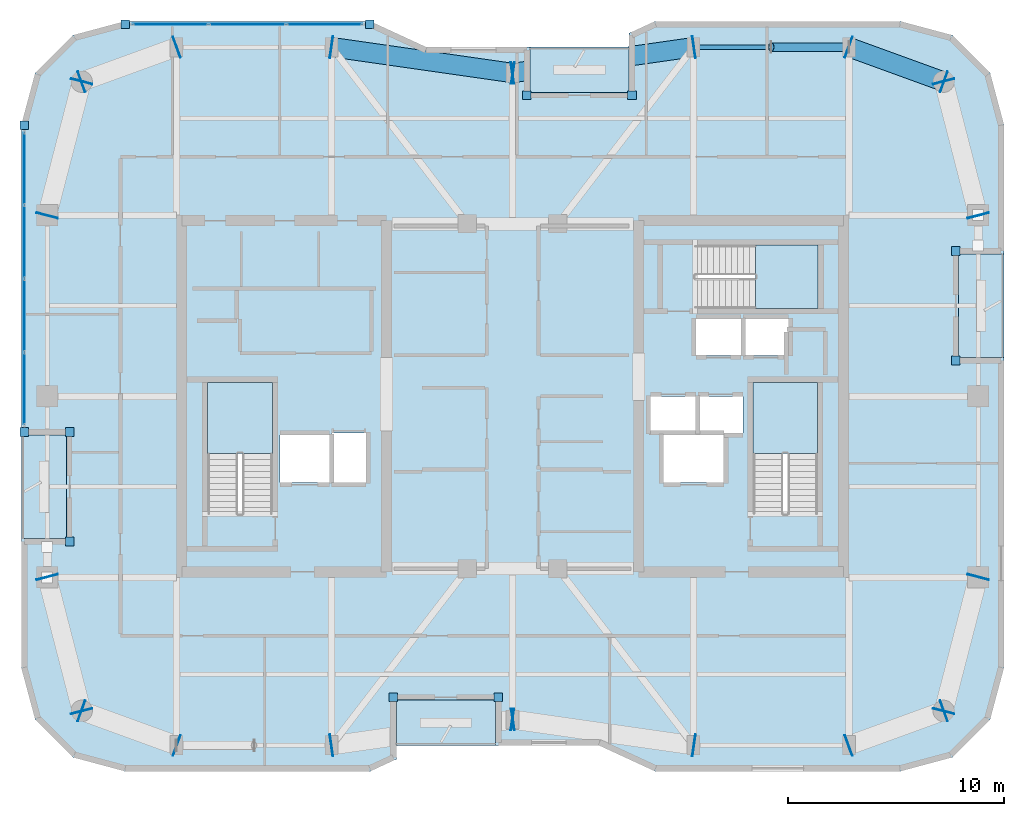
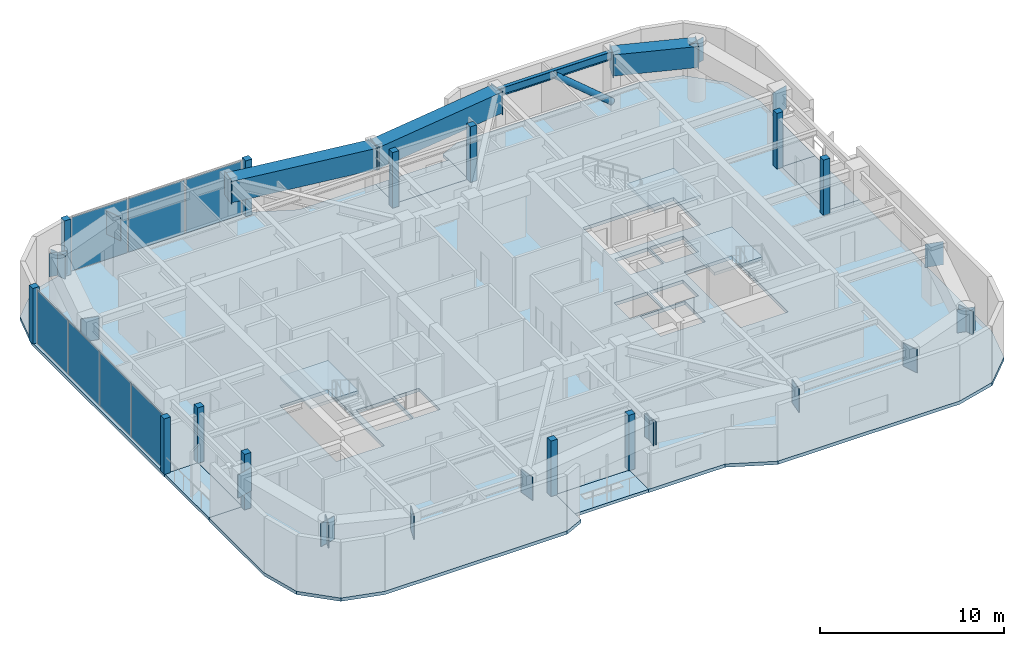
# One storey, part 7 of 15: 43 plates, 8 slabs, 4 beams, 1 member, 5 elements without a shape of their own.
"""IFC4 building model written with IfcOpenShell, lengths in metres."""

from ifc_helpers import new_model, si_unit, direction, frame, origin, origin_2d, place, context, subcontext, project, spatial, polyline, rectangle, hollow_rectangle, hollow_circle, i_section, outline, extrude, material, layer, layer_set, material_profile, profile_set, type_object, element, aggregate, save


model = new_model("IFC4")

# Units and contexts
model_context = context("Model", 3, precision=1e-05, world=origin(), true_north=direction((0.0, 1.0)))
body_context = subcontext(model_context, "Body", "Model", "MODEL_VIEW")
ifc_project = project(units=[si_unit("LENGTHUNIT", "METRE"), si_unit("AREAUNIT", "SQUARE_METRE"), si_unit("VOLUMEUNIT", "CUBIC_METRE"), si_unit("PLANEANGLEUNIT", "RADIAN"), si_unit("MASSUNIT", "GRAM", prefix="KILO")], contexts=[model_context])

# Site, building, storey
site_placement = place(None, origin())
site = spatial("IfcSite", under=ifc_project, at=site_placement, CompositionType="ELEMENT")
building_placement = place(site_placement, origin())
building = spatial("IfcBuilding", under=site, at=building_placement, Name="Kiyonajd Concourse Tower", CompositionType="ELEMENT")
storey_placement = place(building_placement, frame((0.0, 0.0, 266.699951171875)))
storey = spatial("IfcBuildingStorey", under=building, at=storey_placement, Name="L67", CompositionType="ELEMENT", Elevation=266.699951171875)

# Beams
ifc_material_1 = material(Name="Steel ASTM A992 Grade 50", Category="steel")
ifc_material_profile_1 = material_profile(ifc_material_1, i_section(OverallWidth=0.2109375, OverallDepth=0.5390625, WebThickness=0.01171875, FlangeThickness=0.018798828125, at=origin_2d()), Name="W530X109")
ifc_profile_set_1 = profile_set([ifc_material_profile_1], Name="Steel ASTM A992 Grade 50")
beam_type_1 = type_object("IfcBeamType", Name="BM-SPAN-530B", PredefinedType="SPANDREL", material=ifc_profile_set_1)
beam_1_placement = place(storey_placement, frame((63.60009765625, 52.199951171875, 3.41064453125), z_axis=(-1.0, 0.0, 0.0), x_axis=(0.0, -1.0, 0.0)))
element("IfcBeam", 1, at=beam_1_placement, inside=storey, type_object=beam_type_1, Name="L67 Perimeter Bundled Tube Spandrel", PredefinedType="SPANDREL", context=body_context, shape_type="SweptSolid", body=[
    extrude(i_section(OverallWidth=0.2109375, OverallDepth=0.5390625, WebThickness=0.01171875, FlangeThickness=0.018798828125, at=origin_2d()), origin(), (0.0, 0.0, 1.0), 7.2001953125),
])
ifc_material_2 = material(Name="Steel ASTM A572 Grade 50", Category="steel")
ifc_material_profile_2 = material_profile(ifc_material_2, hollow_rectangle(XDim=0.89990234375, YDim=1.39990234375, WallThickness=0.070068359375, at=origin_2d()), Name="BOX-1400x900x70")
ifc_profile_set_2 = profile_set([ifc_material_profile_2], Name="Steel ASTM A572 Grade 50")
beam_type_2 = type_object("IfcBeamType", Name="BM-XFER-1400", PredefinedType="BEAM", material=ifc_profile_set_2)
beam_2_placement = place(storey_placement, frame((68.0, 50.60009765625, 2.97998046875), z_axis=(-0.939801036019, 0.341722127901, 0.0), x_axis=(-0.341722127901, -0.939801036019, 0.0)))
element("IfcBeam", 2, at=beam_2_placement, inside=storey, type_object=beam_type_2, Name="L67 Perimeter Bundled Tube Spandrel", PredefinedType="BEAM", context=body_context, shape_type="SweptSolid", body=[
    extrude(hollow_rectangle(XDim=0.89990234375, YDim=1.39990234375, WallThickness=0.070068359375, at=origin_2d()), origin(), (0.0, 0.0, 1.0), 4.681640625),
])
for number, where, z_axis, x_axis, name in (
    (3, (56.39990234375, 52.199951171875, 2.97998046875), (-0.989950069105, -0.141417328072, 0.0), (0.141417328072, -0.989950069105, 0.0), "L67 Perimeter Bundled Tube Spandrel"),
    (4, (48.0, 51.0, 2.97998046875), (-0.989950069105, 0.141417328072, 0.0), (-0.141417328072, -0.989950069105, 0.0), "L67 Perimeter Bundled Tube Spandrel"),
):
    element("IfcBeam", number, at=place(storey_placement, frame(where, z_axis=z_axis, x_axis=x_axis)), inside=storey, type_object=beam_type_2, Name=name, PredefinedType="BEAM", context=body_context, shape_type="SweptSolid", body=[
        extrude(hollow_rectangle(XDim=0.89990234375, YDim=1.39990234375, WallThickness=0.070068359375, at=origin_2d()), origin(), (0.0, 0.0, 1.0), 8.485107421875),
    ])

# Member
ifc_material_3 = material(Name="Steel ASTM A500 Grade C", Category="steel")
ifc_material_profile_3 = material_profile(ifc_material_3, hollow_circle(Radius=0.202880859375, WallThickness=0.01904296875, at=origin_2d()), Name="CHS-406x19")
ifc_profile_set_3 = profile_set([ifc_material_profile_3], Name="Steel ASTM A500 Grade C")
member_type = type_object("IfcMemberType", Name="MB-PB-HIGH", PredefinedType="BRACE", material=ifc_profile_set_3)
member_placement = place(storey_placement, frame((63.60009765625, 52.199951171875, 0.300048828125), z_axis=(-0.765082043761, 0.0, 0.643932811957), x_axis=(0.0, -1.0, 0.0)))
element("IfcMember", 5, at=member_placement, inside=storey, type_object=member_type, Name="L67 Upper Zone Hollow Tube Brace PBN", PredefinedType="BRACE", context=body_context, shape_type="SweptSolid", body=[
    extrude(hollow_circle(Radius=0.202880859375, WallThickness=0.01904296875, at=origin_2d()), origin(), (0.0, 0.0, 1.0), 4.70556640625),
])

# Plates
ifc_layer_1 = layer(ifc_material_2, 0.031982421875)
ifc_layer_set_1 = layer_set([ifc_layer_1], Name="Steel ASTM A572 Grade 50")
plate_type_1 = type_object("IfcPlateType", Name="PL-CAP-540", PredefinedType="USERDEFINED", material=ifc_layer_set_1)
for number, where, z_axis, x_axis, name in (
    (6, (26.397216796875, 27.610595703125, 2.2099609375), (0.0, 0.0, 1.0), (-0.249873048837, 0.968278606324, 0.0), "L67 Welded Box Girder End Cap"),
    (7, (28.002685546875, 21.389404296875, 2.2099609375), (0.0, 0.0, 1.0), (0.249873048837, -0.968278606324, 0.0), "L67 Welded Box Girder End Cap"),
    (8, (27.98974609375, 21.40380859375, 2.2099609375), (0.0, 0.0, 1.0), (-0.939811951086, 0.341692107891, 0.0), "L67 Welded Box Girder End Cap"),
    (9, (32.410400390625, 19.796142578125, 2.2099609375), (0.0, 0.0, 1.0), (0.939811951086, -0.341692107891, 0.0), "L67 Welded Box Girder End Cap"),
    (10, (39.589111328125, 19.79833984375, 2.2099609375), (0.0, 0.0, 1.0), (-0.989949746297, -0.141419587774, 0.0), "L67 Welded Box Girder End Cap"),
    (11, (48.010986328125, 21.001708984375, 2.2099609375), (0.0, 0.0, 1.0), (0.989949746297, 0.141419587774, 0.0), "L67 Welded Box Girder End Cap"),
    (12, (47.989013671875, 21.001708984375, 2.2099609375), (0.0, 0.0, 1.0), (-0.989949746297, 0.141419587774, 0.0), "L67 Welded Box Girder End Cap"),
    (13, (56.410888671875, 19.79833984375, 2.2099609375), (0.0, 0.0, 1.0), (0.989949746297, -0.141419587774, 0.0), "L67 Welded Box Girder End Cap"),
    (14, (63.589599609375, 19.796142578125, 2.2099609375), (0.0, 0.0, 1.0), (-0.939811951086, -0.341692107891, 0.0), "L67 Welded Box Girder End Cap"),
    (15, (68.01025390625, 21.40380859375, 2.2099609375), (0.0, 0.0, 1.0), (0.939811951086, 0.341692107891, 0.0), "L67 Welded Box Girder End Cap"),
    (16, (67.997314453125, 21.389404296875, 2.2099609375), (0.0, 0.0, 1.0), (-0.249873048837, -0.968278606324, 0.0), "L67 Welded Box Girder End Cap"),
    (17, (69.602783203125, 27.610595703125, 2.2099609375), (0.0, 0.0, 1.0), (0.249873048837, 0.968278606324, 0.0), "L67 Welded Box Girder End Cap"),
    (18, (69.602783203125, 44.389404296875, 2.2099609375), (0.0, 0.0, 1.0), (0.249873048837, -0.968278606324, 0.0), "L67 Welded Box Girder End Cap"),
    (19, (67.997314453125, 50.610595703125, 2.2099609375), (0.0, 0.0, 1.0), (-0.249873048837, 0.968278606324, 0.0), "L67 Welded Box Girder End Cap"),
    (20, (68.01025390625, 50.59619140625, 2.2099609375), (0.0, 0.0, 1.0), (0.939811951086, -0.341692107891, 0.0), "L67 Welded Box Girder End Cap"),
    (21, (63.589599609375, 52.203857421875, 2.2099609375), (0.0, 0.0, 1.0), (-0.939811951086, 0.341692107891, 0.0), "L67 Welded Box Girder End Cap"),
    (22, (56.410888671875, 52.20166015625, 2.2099609375), (0.0, 0.0, 1.0), (0.989949746297, 0.141419587774, 0.0), "L67 Welded Box Girder End Cap"),
    (23, (47.989013671875, 50.998291015625, 2.2099609375), (0.0, 0.0, 1.0), (-0.989949746297, -0.141419587774, 0.0), "L67 Welded Box Girder End Cap"),
    (24, (48.010986328125, 50.998291015625, 2.2099609375), (0.0, 0.0, 1.0), (0.989949746297, -0.141419587774, 0.0), "L67 Welded Box Girder End Cap"),
    (25, (39.589111328125, 52.20166015625, 2.2099609375), (0.0, 0.0, 1.0), (-0.989949746297, 0.141419587774, 0.0), "L67 Welded Box Girder End Cap"),
    (26, (32.410400390625, 52.203857421875, 2.2099609375), (0.0, 0.0, 1.0), (0.939811951086, 0.341692107891, 0.0), "L67 Welded Box Girder End Cap"),
    (27, (27.98974609375, 50.59619140625, 2.2099609375), (0.0, 0.0, 1.0), (-0.939811951086, -0.341692107891, 0.0), "L67 Welded Box Girder End Cap"),
    (28, (28.002685546875, 50.610595703125, 2.2099609375), (0.0, 0.0, 1.0), (0.249873048837, 0.968278606324, 0.0), "L67 Welded Box Girder End Cap"),
    (29, (26.397216796875, 44.389404296875, 2.2099609375), (0.0, 0.0, 1.0), (-0.249873048837, -0.968278606324, 0.0), "L67 Welded Box Girder End Cap"),
):
    element("IfcPlate", number, at=place(storey_placement, frame(where, z_axis=z_axis, x_axis=x_axis)), inside=storey, type_object=plate_type_1, Name=name, ObjectType="CAP PLATE", PredefinedType="USERDEFINED", context=body_context, shape_type="SweptSolid", body=[
        extrude(rectangle(XDim=0.035888671875, YDim=1.02001953125, at=origin_2d()), origin(), (0.0, 0.0, 1.0), 1.5400390625),
    ])

# Curtain wall, plates
ifc_material_4 = material(Name="Thermally Broken Anodised Aluminium", Category="aluminium")
ifc_layer_2 = layer(ifc_material_4, 0.179931640625)
ifc_layer_set_2 = layer_set([ifc_layer_2], Name="Thermally Broken Anodised Aluminium")
curtain_wall_type = type_object("IfcCurtainWallType", Name="CW-SYS-04", PredefinedType="NOTDEFINED", material=ifc_layer_set_2)
curtain_wall_1_placement = place(storey_placement, origin())
curtain_wall_1 = element("IfcCurtainWall", 30, at=curtain_wall_1_placement, inside=storey, type_object=curtain_wall_type, Name="L67 Unitised Curtain Wall CW4", PredefinedType="NOTDEFINED")
ifc_material_5 = material(Name="Double Low-E Insulated Glass", Category="glass")
ifc_layer_3 = layer(ifc_material_5, 0.033935546875)
ifc_layer_set_3 = layer_set([ifc_layer_3], Name="Double Low-E Insulated Glass")
plate_type_2 = type_object("IfcPlateType", Name="PL-CW-VIS34", PredefinedType="CURTAIN_PANEL", material=ifc_layer_set_3)
plate_1_placement = place(storey_placement, frame((25.340087890625, 36.35400390625, 0.06494140625), z_axis=(0.0, 0.0, 1.0), x_axis=(0.0, 1.0, 0.0)))
plate_1 = element("IfcPlate", 31, at=plate_1_placement, type_object=plate_type_2, Name="CW4 panel 1.1", PredefinedType="CURTAIN_PANEL", context=body_context, shape_type="SweptSolid", body=[
    extrude(rectangle(XDim=3.31787109375, YDim=0.033935546875, at=origin_2d()), origin(), (0.0, 0.0, 1.0), 3.550048828125),
])
plate_2_placement = place(storey_placement, frame((25.340087890625, 39.753173828125, 0.06494140625), z_axis=(0.0, 0.0, 1.0), x_axis=(0.0, 1.0, 0.0)))
plate_2 = element("IfcPlate", 32, at=plate_2_placement, type_object=plate_type_2, Name="CW4 panel 2.1", PredefinedType="CURTAIN_PANEL", context=body_context, shape_type="SweptSolid", body=[
    extrude(rectangle(XDim=3.350341796875, YDim=0.033935546875, at=origin_2d()), origin(), (0.0, 0.0, 1.0), 3.550048828125),
])
plate_3_placement = place(storey_placement, frame((25.340087890625, 43.16845703125, 0.06494140625), z_axis=(0.0, 0.0, 1.0), x_axis=(0.0, 1.0, 0.0)))
plate_3 = element("IfcPlate", 33, at=plate_3_placement, type_object=plate_type_2, Name="CW4 panel 3.1", PredefinedType="CURTAIN_PANEL", context=body_context, shape_type="SweptSolid", body=[
    extrude(rectangle(XDim=3.350341796875, YDim=0.033935546875, at=origin_2d()), origin(), (0.0, 0.0, 1.0), 3.550048828125),
])
plate_4_placement = place(storey_placement, frame((25.340087890625, 46.567626953125, 0.06494140625), z_axis=(0.0, 0.0, 1.0), x_axis=(0.0, 1.0, 0.0)))
plate_4 = element("IfcPlate", 34, at=plate_4_placement, type_object=plate_type_2, Name="CW4 panel 4.1", PredefinedType="CURTAIN_PANEL", context=body_context, shape_type="SweptSolid", body=[
    extrude(rectangle(XDim=3.31787109375, YDim=0.033935546875, at=origin_2d()), origin(), (0.0, 0.0, 1.0), 3.550048828125),
])
aggregate(curtain_wall_1, [plate_1, plate_2, plate_3, plate_4])

curtain_wall_2_placement = place(storey_placement, origin())
curtain_wall_2 = element("IfcCurtainWall", 35, at=curtain_wall_2_placement, inside=storey, type_object=curtain_wall_type, Name="L67 Unitised Curtain Wall CW4", PredefinedType="NOTDEFINED")
plate_5_placement = place(storey_placement, frame((32.119873046875, 53.260009765625, 0.06494140625), z_axis=(0.0, 0.0, 1.0), x_axis=(1.0, 0.0, 0.0)))
plate_5 = element("IfcPlate", 36, at=plate_5_placement, type_object=plate_type_2, Name="CW4 panel 1.1", PredefinedType="CURTAIN_PANEL", context=body_context, shape_type="SweptSolid", body=[
    extrude(rectangle(XDim=3.492919921875, YDim=0.033935546875, at=origin_2d()), origin(), (0.0, 0.0, 1.0), 3.550048828125),
])
plate_6_placement = place(storey_placement, frame((35.69384765625, 53.260009765625, 0.06494140625), z_axis=(0.0, 0.0, 1.0), x_axis=(1.0, 0.0, 0.0)))
plate_6 = element("IfcPlate", 37, at=plate_6_placement, type_object=plate_type_2, Name="CW4 panel 2.1", PredefinedType="CURTAIN_PANEL", context=body_context, shape_type="SweptSolid", body=[
    extrude(rectangle(XDim=3.525390625, YDim=0.033935546875, at=origin_2d()), origin(), (0.0, 0.0, 1.0), 3.550048828125),
])
plate_7_placement = place(storey_placement, frame((39.267822265625, 53.260009765625, 0.06494140625), z_axis=(0.0, 0.0, 1.0), x_axis=(1.0, 0.0, 0.0)))
plate_7 = element("IfcPlate", 38, at=plate_7_placement, type_object=plate_type_2, Name="CW4 panel 3.1", PredefinedType="CURTAIN_PANEL", context=body_context, shape_type="SweptSolid", body=[
    extrude(rectangle(XDim=3.492919921875, YDim=0.033935546875, at=origin_2d()), origin(), (0.0, 0.0, 1.0), 3.550048828125),
])
aggregate(curtain_wall_2, [plate_5, plate_6, plate_7])

# Plates
ifc_layer_4 = layer(ifc_material_4, 0.39990234375)
ifc_layer_set_4 = layer_set([ifc_layer_4], Name="Thermally Broken Anodised Aluminium")
plate_type_3 = type_object("IfcPlateType", Name="PL-JMB-400", PredefinedType="USERDEFINED", material=ifc_layer_set_4)
for number, where, z_axis, x_axis, name in (
    (39, (27.43994140625, 29.260009765625, 0.0), (0.0, 0.0, 1.0), (1.0, 0.0, 0.0), "L67 Facade Jamb Closure Plate 01"),
    (40, (27.43994140625, 34.340087890625, 0.0), (0.0, 0.0, 1.0), (1.0, 0.0, 0.0), "L67 Facade Jamb Closure Plate 02"),
    (41, (25.340087890625, 34.340087890625, 0.0), (0.0, 0.0, 1.0), (1.0, 0.0, 0.0), "L67 Facade Jamb Closure Plate 03"),
    (42, (25.340087890625, 48.58154296875, 0.0), (0.0, 0.0, 1.0), (1.0, 0.0, 0.0), "L67 Facade Jamb Closure Plate 04"),
    (43, (30.018310546875, 53.260009765625, 0.0), (0.0, 0.0, 1.0), (1.0, 0.0, 0.0), "L67 Facade Jamb Closure Plate 05"),
    (44, (41.369384765625, 53.260009765625, 0.0), (0.0, 0.0, 1.0), (1.0, 0.0, 0.0), "L67 Facade Jamb Closure Plate 06"),
    (45, (48.659912109375, 49.9599609375, 0.0), (0.0, 0.0, 1.0), (1.0, 0.0, 0.0), "L67 Facade Jamb Closure Plate 07"),
    (46, (53.5400390625, 49.9599609375, 0.0), (0.0, 0.0, 1.0), (1.0, 0.0, 0.0), "L67 Facade Jamb Closure Plate 08"),
    (47, (68.56005859375, 42.739990234375, 0.0), (0.0, 0.0, 1.0), (1.0, 0.0, 0.0), "L67 Facade Jamb Closure Plate 09"),
    (48, (68.56005859375, 37.659912109375, 0.0), (0.0, 0.0, 1.0), (1.0, 0.0, 0.0), "L67 Facade Jamb Closure Plate 10"),
    (49, (47.340087890625, 22.0400390625, 0.0), (0.0, 0.0, 1.0), (1.0, 0.0, 0.0), "L67 Facade Jamb Closure Plate 11"),
    (50, (42.4599609375, 22.0400390625, 0.0), (0.0, 0.0, 1.0), (1.0, 0.0, 0.0), "L67 Facade Jamb Closure Plate 12"),
):
    element("IfcPlate", number, at=place(storey_placement, frame(where, z_axis=z_axis, x_axis=x_axis)), inside=storey, type_object=plate_type_3, Name=name, ObjectType="JAMB PLATE", PredefinedType="USERDEFINED", context=body_context, shape_type="SweptSolid", body=[
        extrude(rectangle(XDim=0.39990234375, YDim=0.39990234375, at=origin_2d()), origin(), (0.0, 0.0, 1.0), 3.679931640625),
    ])

# Stair, slab
ifc_material_6 = material(Name="Concrete C40/50", Category="concrete")
stair_type = type_object("IfcStairType", Name="ST-DLG-22R", PredefinedType="HALF_TURN_STAIR", material=ifc_material_6)
stair_1_placement = place(storey_placement, origin())
stair_1 = element("IfcStair", 51, at=stair_1_placement, inside=storey, type_object=stair_type, Name="L67 Protected Exit Stair ST1", PredefinedType="HALF_TURN_STAIR")
ifc_layer_5 = layer(ifc_material_6, 0.199951171875)
ifc_layer_set_5 = layer_set([ifc_layer_5], Name="Concrete C40/50")
slab_type_1 = type_object("IfcSlabType", Name="SL-LND-200", PredefinedType="LANDING", material=ifc_layer_set_5)
slab_1_placement = place(storey_placement, frame((0.0, 0.0, 1.75)))
slab_1 = element("IfcSlab", 52, at=slab_1_placement, type_object=slab_type_1, Name="ST1 landing 1", PredefinedType="LANDING", context=body_context, shape_type="SweptSolid", body=[
    extrude(outline(polyline([(36.85009765625, 33.35009765625), (36.85009765625, 36.64990234375), (33.85009765625, 36.64990234375), (33.85009765625, 33.35009765625), (36.85009765625, 33.35009765625)])), origin(), (0.0, 0.0, 1.0), 0.199951171875),
])
aggregate(stair_1, [slab_1])

stair_2_placement = place(storey_placement, origin())
stair_2 = element("IfcStair", 53, at=stair_2_placement, inside=storey, type_object=stair_type, Name="L67 Protected Exit Stair ST2", PredefinedType="HALF_TURN_STAIR")
slab_2_placement = place(storey_placement, frame((0.0, 0.0, 1.75)))
slab_2 = element("IfcSlab", 54, at=slab_2_placement, type_object=slab_type_1, Name="ST2 landing 1", PredefinedType="LANDING", context=body_context, shape_type="SweptSolid", body=[
    extrude(outline(polyline([(62.14990234375, 33.35009765625), (62.14990234375, 36.64990234375), (59.14990234375, 36.64990234375), (59.14990234375, 33.35009765625), (62.14990234375, 33.35009765625)])), origin(), (0.0, 0.0, 1.0), 0.199951171875),
])
aggregate(stair_2, [slab_2])

stair_3_placement = place(storey_placement, origin())
stair_3 = element("IfcStair", 55, at=stair_3_placement, inside=storey, type_object=stair_type, Name="L67 Protected Exit Stair ST3", PredefinedType="HALF_TURN_STAIR")
slab_3_placement = place(storey_placement, frame((0.0, 0.0, 1.75)))
slab_3 = element("IfcSlab", 56, at=slab_3_placement, type_object=slab_type_1, Name="ST3 landing 1", PredefinedType="LANDING", context=body_context, shape_type="SweptSolid", body=[
    extrude(outline(polyline([(59.280029296875, 40.080078125), (62.179931640625, 40.080078125), (62.179931640625, 43.02001953125), (59.280029296875, 43.02001953125), (59.280029296875, 40.080078125)])), origin(), (0.0, 0.0, 1.0), 0.199951171875),
])
aggregate(stair_3, [slab_3])

# Slabs
ifc_material_7 = material(Name="Precast concrete C50/60", Category="concrete")
ifc_layer_6 = layer(ifc_material_7, 0.199951171875)
ifc_layer_set_6 = layer_set([ifc_layer_6], Name="Precast concrete C50/60")
slab_type_2 = type_object("IfcSlabType", Name="SL-LOG-200", PredefinedType="FLOOR", material=ifc_layer_set_6)
slab_4_placement = place(storey_placement, frame((0.0, 0.0, -0.199951171875)))
element("IfcSlab", 57, at=slab_4_placement, inside=storey, type_object=slab_type_2, Name="L67 Recessed Engawa Loggia Terrace Slab LOG-S", PredefinedType="FLOOR", context=body_context, shape_type="SweptSolid", body=[
    extrude(outline(polyline([(42.60009765625, 19.800048828125), (47.199951171875, 19.800048828125), (47.199951171875, 21.89990234375), (42.60009765625, 21.89990234375), (42.60009765625, 19.800048828125)])), origin(), (0.0, 0.0, 1.0), 0.199951171875),
])
slab_5_placement = place(storey_placement, frame((0.0, 0.0, -0.199951171875)))
element("IfcSlab", 58, at=slab_5_placement, inside=storey, type_object=slab_type_2, Name="L67 Recessed Engawa Loggia Terrace Slab LOG-N", PredefinedType="FLOOR", context=body_context, shape_type="SweptSolid", body=[
    extrude(outline(polyline([(48.800048828125, 50.10009765625), (53.39990234375, 50.10009765625), (53.39990234375, 52.199951171875), (48.800048828125, 52.199951171875), (48.800048828125, 50.10009765625)])), origin(), (0.0, 0.0, 1.0), 0.199951171875),
])
slab_6_placement = place(storey_placement, frame((0.0, 0.0, -0.199951171875)))
element("IfcSlab", 59, at=slab_6_placement, inside=storey, type_object=slab_type_2, Name="L67 Recessed Engawa Loggia Terrace Slab LOG-W", PredefinedType="FLOOR", context=body_context, shape_type="SweptSolid", body=[
    extrude(outline(polyline([(25.199951171875, 29.39990234375), (27.300048828125, 29.39990234375), (27.300048828125, 34.199951171875), (25.199951171875, 34.199951171875), (25.199951171875, 29.39990234375)])), origin(), (0.0, 0.0, 1.0), 0.199951171875),
])
slab_7_placement = place(storey_placement, frame((0.0, 0.0, -0.199951171875)))
element("IfcSlab", 60, at=slab_7_placement, inside=storey, type_object=slab_type_2, Name="L67 Recessed Engawa Loggia Terrace Slab LOG-E", PredefinedType="FLOOR", context=body_context, shape_type="SweptSolid", body=[
    extrude(outline(polyline([(68.699951171875, 37.800048828125), (70.800048828125, 37.800048828125), (70.800048828125, 42.60009765625), (68.699951171875, 42.60009765625), (68.699951171875, 37.800048828125)])), origin(), (0.0, 0.0, 1.0), 0.199951171875),
])
ifc_layer_7 = layer(ifc_material_6, 0.219970703125)
ifc_layer_set_7 = layer_set([ifc_layer_7], Name="Concrete C40/50")
slab_type_3 = type_object("IfcSlabType", Name="SL-TWR-220", PredefinedType="FLOOR", material=ifc_layer_set_7)
slab_8_placement = place(storey_placement, frame((0.0, 0.0, -0.219970703125)))
element("IfcSlab", 61, at=slab_8_placement, inside=storey, type_object=slab_type_3, Name="L67 Tower Conditioned Floor Slab", PredefinedType="FLOOR", context=body_context, shape_type="SweptSolid", body=[
    extrude(outline(polyline([(25.843017578125, 21.0), (25.199951171875, 23.39990234375), (25.199951171875, 29.39990234375), (27.300048828125, 29.39990234375), (27.300048828125, 34.199951171875), (25.199951171875, 34.199951171875), (25.199951171875, 48.60009765625), (25.843017578125, 51.0), (27.60009765625, 52.757080078125), (30.0, 53.39990234375), (41.39990234375, 53.39990234375), (44.0, 52.199951171875), (48.800048828125, 52.199951171875), (48.800048828125, 50.10009765625), (53.39990234375, 50.10009765625), (53.39990234375, 52.845947265625), (54.60009765625, 53.39990234375), (66.0, 53.39990234375), (68.39990234375, 52.757080078125), (70.156982421875, 51.0), (70.800048828125, 48.60009765625), (70.800048828125, 42.60009765625), (68.699951171875, 42.60009765625), (68.699951171875, 37.800048828125), (70.800048828125, 37.800048828125), (70.800048828125, 23.39990234375), (70.156982421875, 21.0), (68.39990234375, 19.242919921875), (66.0, 18.60009765625), (54.60009765625, 18.60009765625), (52.0, 19.800048828125), (47.199951171875, 19.800048828125), (47.199951171875, 21.89990234375), (42.60009765625, 21.89990234375), (42.60009765625, 19.154052734375), (41.39990234375, 18.60009765625), (30.0, 18.60009765625), (27.60009765625, 19.242919921875), (25.843017578125, 21.0)]), holes=[polyline([(39.5, 32.0), (37.199951171875, 32.0), (37.199951171875, 34.199951171875), (39.5, 34.199951171875), (39.5, 32.0)]), polyline([(57.800048828125, 32.0), (55.0, 32.0), (55.0, 34.199951171875), (57.800048828125, 34.199951171875), (57.800048828125, 32.0)]), polyline([(41.199951171875, 32.0), (39.60009765625, 32.0), (39.60009765625, 34.300048828125), (41.199951171875, 34.300048828125), (41.199951171875, 32.0)]), polyline([(33.85009765625, 30.550048828125), (33.85009765625, 36.64990234375), (36.85009765625, 36.64990234375), (36.85009765625, 30.550048828125), (33.85009765625, 30.550048828125)]), polyline([(59.14990234375, 30.550048828125), (59.14990234375, 36.64990234375), (62.14990234375, 36.64990234375), (62.14990234375, 30.550048828125), (59.14990234375, 30.550048828125)]), polyline([(56.5, 34.300048828125), (54.39990234375, 34.300048828125), (54.39990234375, 36.0), (56.5, 36.0), (56.5, 34.300048828125)]), polyline([(58.699951171875, 34.300048828125), (56.60009765625, 34.300048828125), (56.60009765625, 36.0), (58.699951171875, 36.0), (58.699951171875, 34.300048828125)]), polyline([(58.60009765625, 37.89990234375), (56.5, 37.89990234375), (56.5, 39.60009765625), (58.60009765625, 39.60009765625), (58.60009765625, 37.89990234375)]), polyline([(58.699951171875, 37.89990234375), (58.699951171875, 39.60009765625), (60.800048828125, 39.60009765625), (60.800048828125, 37.89990234375), (58.699951171875, 37.89990234375)]), polyline([(56.47998046875, 43.02001953125), (62.179931640625, 43.02001953125), (62.179931640625, 40.080078125), (56.47998046875, 40.080078125), (56.47998046875, 43.02001953125)])]), origin(), (0.0, 0.0, 1.0), 0.219970703125),
])

save(model, "model.ifc")
